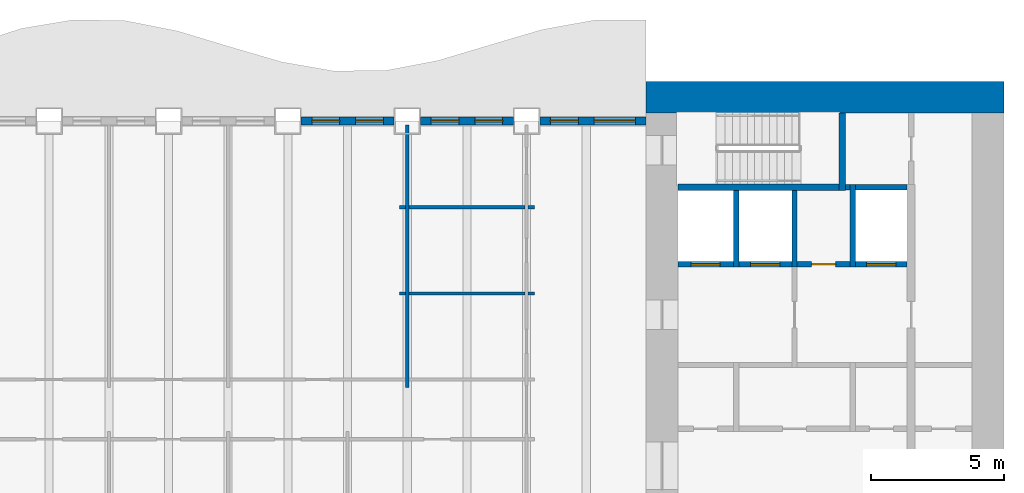
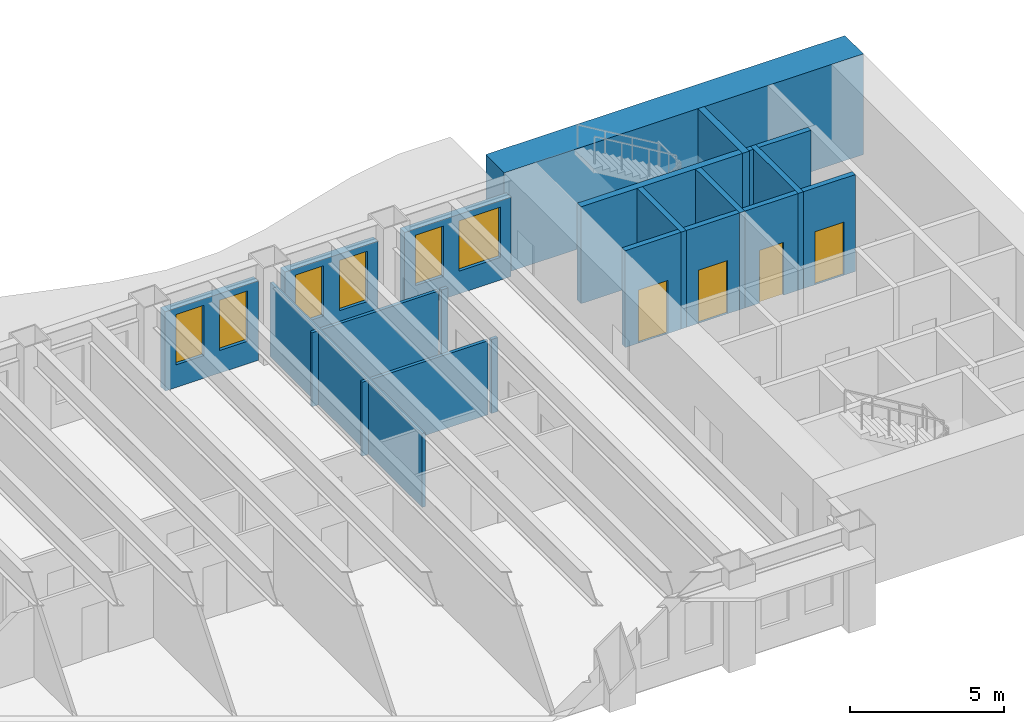
# One storey, part 7 of 16: 22 walls, 6 windows, 4 doors, 10 openings.
"""IFC4 building model written with IfcOpenShell, lengths in metres."""

from ifc_helpers import new_model, si_unit, direction, frame, frame_2d, origin, place, context, subcontext, project, spatial, rectangle, extrude, material, layer, layer_set, type_object, element, fill, save


model = new_model("IFC4")

# Units and contexts
model_context = context("Model", 3, precision=1e-05, world=origin(), true_north=direction((0.0, 1.0)))
body_context = subcontext(model_context, "Body", "Model", "MODEL_VIEW")
ifc_project = project(units=[si_unit("LENGTHUNIT", "METRE"), si_unit("AREAUNIT", "SQUARE_METRE"), si_unit("VOLUMEUNIT", "CUBIC_METRE"), si_unit("PLANEANGLEUNIT", "RADIAN"), si_unit("MASSUNIT", "GRAM", prefix="KILO")], contexts=[model_context])

# Site, building, storey
site_placement = place(None, origin())
site = spatial("IfcSite", under=ifc_project, at=site_placement, CompositionType="ELEMENT")
building_placement = place(site_placement, origin())
building = spatial("IfcBuilding", under=site, at=building_placement, Name="Sennacour Bend Tower", CompositionType="ELEMENT")
storey_placement = place(building_placement, frame((0.0, 0.0, 95.0)))
storey = spatial("IfcBuildingStorey", under=building, at=storey_placement, Name="L21", CompositionType="ELEMENT", Elevation=95.0)

# Walls
ifc_material_1 = material(Name="Concrete C80/95", Category="concrete")
ifc_layer_1 = layer(ifc_material_1, 1.199951171875, Name="Concrete C80/95", Category="concrete")
ifc_layer_set_1 = layer_set([ifc_layer_1], Name="Concrete C80/95")
wall_type_1 = type_object("IfcWallType", Name="Core wall 1200 C80/95", PredefinedType="SHEAR", material=ifc_layer_set_1)
wall_1_placement = place(storey_placement, frame((54.0, 21.89990234375, -0.14990234375), z_axis=(0.0, 0.0, 1.0), x_axis=(1.0, 0.0, 0.0)))
element("IfcWall", 1, at=wall_1_placement, inside=storey, type_object=wall_type_1, Name="Core A wall L21 N", PredefinedType="SHEAR", context=body_context, shape_type="SweptSolid", body=[
    extrude(rectangle(XDim=13.5, YDim=1.199951171875, at=frame_2d((6.75, 0.0))), origin(), (0.0, 0.0, 1.0), 4.0),
])
ifc_material_2 = material(Name="Plasterboard partition on steel studs", Category="steel")
ifc_layer_2 = layer(ifc_material_2, 0.1201171875, Name="Plasterboard partition on steel studs", Category="steel")
ifc_layer_set_2 = layer_set([ifc_layer_2], Name="Plasterboard partition on steel studs")
wall_type_2 = type_object("IfcWallType", Name="Partition 120", PredefinedType="PARTITIONING", material=ifc_layer_set_2)
wall_2_placement = place(storey_placement, frame((45.0, 10.949951171875, 0.0), z_axis=(0.0, 0.0, 1.0), x_axis=(0.0, 1.0, 0.0)))
element("IfcWall", 2, at=wall_2_placement, inside=storey, type_object=wall_type_2, Name="P-L21-W032a", PredefinedType="PARTITIONING", context=body_context, shape_type="SweptSolid", body=[
    extrude(rectangle(XDim=9.900146484375, YDim=0.1201171875, at=frame_2d((4.9501953125, 0.0))), origin(), (0.0, 0.0, 1.0), 2.93798828125),
])
wall_3_placement = place(storey_placement, frame((44.699951171875, 14.5, 0.0), z_axis=(0.0, 0.0, 1.0), x_axis=(1.0, 0.0, 0.0)))
element("IfcWall", 3, at=wall_3_placement, inside=storey, type_object=wall_type_2, Name="P-L21-W062aa", PredefinedType="PARTITIONING", context=body_context, shape_type="SweptSolid", body=[
    extrude(rectangle(XDim=0.239990234375, YDim=0.1201171875, at=frame_2d((0.1201171875, 0.0))), origin(), (0.0, 0.0, 1.0), 2.93798828125),
])
wall_4_placement = place(storey_placement, frame((45.06005859375, 14.5, 0.0), z_axis=(0.0, 0.0, 1.0), x_axis=(1.0, 0.0, 0.0)))
element("IfcWall", 4, at=wall_4_placement, inside=storey, type_object=wall_type_2, Name="P-L21-W062ab", PredefinedType="PARTITIONING", context=body_context, shape_type="SweptSolid", body=[
    extrude(rectangle(XDim=4.3798828125, YDim=0.1201171875, at=frame_2d((2.18994140625, 0.0))), origin(), (0.0, 0.0, 1.0), 2.93798828125),
])
for number, where, z_axis, x_axis, name in (
    (5, (49.56005859375, 14.5, 0.0), (0.0, 0.0, 1.0), (1.0, 0.0, 0.0), "P-L21-W062ac"),
    (6, (44.699951171875, 17.75, 0.0), (0.0, 0.0, 1.0), (1.0, 0.0, 0.0), "P-L21-W067aa"),
):
    element("IfcWall", number, at=place(storey_placement, frame(where, z_axis=z_axis, x_axis=x_axis)), inside=storey, type_object=wall_type_2, Name=name, PredefinedType="PARTITIONING", context=body_context, shape_type="SweptSolid", body=[
        extrude(rectangle(XDim=0.239990234375, YDim=0.1201171875, at=frame_2d((0.1201171875, 0.0))), origin(), (0.0, 0.0, 1.0), 2.93798828125),
    ])
wall_5_placement = place(storey_placement, frame((45.06005859375, 17.75, 0.0), z_axis=(0.0, 0.0, 1.0), x_axis=(1.0, 0.0, 0.0)))
element("IfcWall", 7, at=wall_5_placement, inside=storey, type_object=wall_type_2, Name="P-L21-W067ab", PredefinedType="PARTITIONING", context=body_context, shape_type="SweptSolid", body=[
    extrude(rectangle(XDim=4.3798828125, YDim=0.1201171875, at=frame_2d((2.18994140625, 0.0))), origin(), (0.0, 0.0, 1.0), 2.93798828125),
])
wall_6_placement = place(storey_placement, frame((49.56005859375, 17.75, 0.0), z_axis=(0.0, 0.0, 1.0), x_axis=(1.0, 0.0, 0.0)))
element("IfcWall", 8, at=wall_6_placement, inside=storey, type_object=wall_type_2, Name="P-L21-W067ac", PredefinedType="PARTITIONING", context=body_context, shape_type="SweptSolid", body=[
    extrude(rectangle(XDim=0.239990234375, YDim=0.1201171875, at=frame_2d((0.1201171875, 0.0))), origin(), (0.0, 0.0, 1.0), 2.93798828125),
])

# Wall, opening, door
ifc_material_3 = material(Name="Fire-rated plasterboard partition on steel studs", Category="steel")
ifc_layer_3 = layer(ifc_material_3, 0.199951171875, Name="Fire-rated plasterboard partition on steel studs", Category="steel")
ifc_layer_set_3 = layer_set([ifc_layer_3], Name="Fire-rated plasterboard partition on steel studs")
wall_type_3 = type_object("IfcWallType", Name="Rated partition 200", PredefinedType="PARTITIONING", material=ifc_layer_set_3)
wall_7_placement = place(storey_placement, frame((59.699951171875, 15.60009765625, 0.0), z_axis=(0.0, 0.0, 1.0), x_axis=(1.0, 0.0, 0.0)))
wall_7 = element("IfcWall", 9, at=wall_7_placement, inside=storey, type_object=wall_type_3, Name="P-L21-W064", PredefinedType="PARTITIONING", context=body_context, shape_type="SweptSolid", body=[
    extrude(rectangle(XDim=2.0, YDim=0.199951171875, at=frame_2d((1.0, 0.0))), origin(), (0.0, 0.0, 1.0), 3.85009765625),
])
opening_1_placement = place(wall_7_placement, frame((0.550048828125, 0.0, 0.0)))
opening_1 = element("IfcOpeningElement", 10, at=opening_1_placement, cuts=wall_7, Name="Opening SV", PredefinedType="OPENING", context=body_context, shape_type="SweptSolid", body=[
    extrude(rectangle(XDim=0.89990234375, YDim=2.10009765625, at=frame_2d((0.449951171875, 1.050048828125))), frame((0.0, 0.10986328125, 0.0), z_axis=(0.0, -1.0, 0.0), x_axis=(1.0, 0.0, 0.0)), (0.0, 0.0, 1.0), 0.219970703125),
])
ifc_material_4 = material(Name="Painted steel", Category="steel")
door_type_1 = type_object("IfcDoorType", Name="DR-SERVICE-900", OperationType="NOTDEFINED", PredefinedType="DOOR", material=ifc_material_4)
door_1_placement = place(opening_1_placement, origin())
door_1 = element("IfcDoor", 11, at=door_1_placement, inside=storey, type_object=door_type_1, Name="Door", OperationType="SINGLE_SWING_RIGHT", OverallHeight=2.10009765625, OverallWidth=0.89990234375, PredefinedType="DOOR", context=body_context, shape_type="SweptSolid", body=[
    extrude(rectangle(XDim=0.89990234375, YDim=2.10009765625, at=frame_2d((0.449951171875, 1.050048828125))), frame((0.0, 0.02490234375, 0.0), z_axis=(0.0, -1.0, 0.0), x_axis=(1.0, 0.0, 0.0)), (0.0, 0.0, 1.0), 0.050048828125),
])
fill(opening_1, door_1)

# Wall
wall_8_placement = place(storey_placement, frame((61.52490234375, 18.5, 0.0), z_axis=(0.0, 0.0, 1.0), x_axis=(1.0, 0.0, 0.0)))
element("IfcWall", 12, at=wall_8_placement, inside=storey, type_object=wall_type_3, Name="P-L21-W069", PredefinedType="PARTITIONING", context=body_context, shape_type="SweptSolid", body=[
    extrude(rectangle(XDim=0.175048828125, YDim=0.199951171875, at=frame_2d((0.08740234375, 0.0))), origin(), (0.0, 0.0, 1.0), 3.85009765625),
])

# Wall, openings, windows
ifc_material_5 = material(Name="Warm limestone cladding", Category="masonry")
ifc_layer_4 = layer(ifc_material_5, 0.050048828125, Name="Warm limestone cladding", Category="masonry")
ifc_material_6 = material(Name="Precast concrete C40/50", Category="concrete")
ifc_layer_5 = layer(ifc_material_6, 0.25, Name="Precast concrete C40/50", Category="concrete")
ifc_layer_set_4 = layer_set([ifc_layer_4, ifc_layer_5], Name="Precast concrete C40/50 with limestone cladding")
wall_type_4 = type_object("IfcWallType", Name="STONE-CLAD PRECAST SPANDREL 300", PredefinedType="STANDARD", material=ifc_layer_set_4)
wall_9_placement = place(storey_placement, frame((54.0, 21.0, 0.0), z_axis=(0.0, 0.0, 1.0), x_axis=(-1.0, 0.0, 0.0)))
wall_9 = element("IfcWall", 13, at=wall_9_placement, inside=storey, type_object=wall_type_4, Name="Stone spandrel and pier wall L21 06.00", PredefinedType="STANDARD", context=body_context, shape_type="SweptSolid", body=[
    extrude(rectangle(XDim=4.0, YDim=0.300048828125, at=frame_2d((2.0, 0.0))), origin(), (0.0, 0.0, 1.0), 3.154052734375),
])
opening_2_placement = place(wall_9_placement, frame((0.39990234375, 0.0, 0.89990234375)))
opening_2 = element("IfcOpeningElement", 14, at=opening_2_placement, cuts=wall_9, Name="Opening W9", PredefinedType="OPENING", context=body_context, shape_type="SweptSolid", body=[
    extrude(rectangle(XDim=1.550048828125, YDim=2.0, at=frame_2d((0.77490234375, 1.0))), frame((0.0, 0.16015625, 0.0), z_axis=(0.0, -1.0, 0.0), x_axis=(1.0, 0.0, 0.0)), (0.0, 0.0, 1.0), 0.320068359375),
])
opening_3_placement = place(wall_9_placement, frame((2.550048828125, 0.0, 0.89990234375)))
opening_3 = element("IfcOpeningElement", 15, at=opening_3_placement, cuts=wall_9, Name="Opening W13", PredefinedType="OPENING", context=body_context, shape_type="SweptSolid", body=[
    extrude(rectangle(XDim=1.050048828125, YDim=2.0, at=frame_2d((0.52490234375, 1.0))), frame((0.0, 0.16015625, 0.0), z_axis=(0.0, -1.0, 0.0), x_axis=(1.0, 0.0, 0.0)), (0.0, 0.0, 1.0), 0.320068359375),
])
ifc_material_7 = material(Name="Clear low-emissivity glass", Category="glass")
window_type_1 = type_object("IfcWindowType", Name="WIN-RIBBON-1050x2000", PartitioningType="SINGLE_PANEL", PredefinedType="WINDOW", material=ifc_material_7)
window_1_placement = place(opening_3_placement, origin())
window_1 = element("IfcWindow", 16, at=window_1_placement, inside=storey, type_object=window_type_1, Name="Ribbon window L21 06.00.1", OverallHeight=2.0, OverallWidth=1.050048828125, PartitioningType="SINGLE_PANEL", PredefinedType="WINDOW", context=body_context, shape_type="SweptSolid", body=[
    extrude(rectangle(XDim=1.050048828125, YDim=2.0, at=frame_2d((0.52490234375, 1.0))), frame((0.0, 0.030029296875, 0.0), z_axis=(0.0, -1.0, 0.0), x_axis=(1.0, 0.0, 0.0)), (0.0, 0.0, 1.0), 0.06005859375),
])
fill(opening_3, window_1)
window_type_2 = type_object("IfcWindowType", Name="WIN-RIBBON-1550x2000", PartitioningType="SINGLE_PANEL", PredefinedType="WINDOW", material=ifc_material_7)
window_2_placement = place(opening_2_placement, origin())
window_2 = element("IfcWindow", 17, at=window_2_placement, inside=storey, type_object=window_type_2, Name="Ribbon window L21 06.00.0", OverallHeight=2.0, OverallWidth=1.550048828125, PartitioningType="SINGLE_PANEL", PredefinedType="WINDOW", context=body_context, shape_type="SweptSolid", body=[
    extrude(rectangle(XDim=1.550048828125, YDim=2.0, at=frame_2d((0.77490234375, 1.0))), frame((0.0, 0.030029296875, 0.0), z_axis=(0.0, -1.0, 0.0), x_axis=(1.0, 0.0, 0.0)), (0.0, 0.0, 1.0), 0.06005859375),
])
fill(opening_2, window_2)

wall_10_placement = place(storey_placement, frame((49.0, 21.0, 0.0), z_axis=(0.0, 0.0, 1.0), x_axis=(-1.0, 0.0, 0.0)))
wall_10 = element("IfcWall", 18, at=wall_10_placement, inside=storey, type_object=wall_type_4, Name="Stone spandrel and pier wall L21 06.01", PredefinedType="STANDARD", context=body_context, shape_type="SweptSolid", body=[
    extrude(rectangle(XDim=3.5, YDim=0.300048828125, at=frame_2d((1.75, 0.0))), origin(), (0.0, 0.0, 1.0), 3.154052734375),
])
opening_4_placement = place(wall_10_placement, frame((0.39990234375, 0.0, 0.89990234375)))
opening_4 = element("IfcOpeningElement", 19, at=opening_4_placement, cuts=wall_10, Name="Opening W13", PredefinedType="OPENING", context=body_context, shape_type="SweptSolid", body=[
    extrude(rectangle(XDim=1.050048828125, YDim=2.0, at=frame_2d((0.52490234375, 1.0))), frame((0.0, 0.16015625, 0.0), z_axis=(0.0, -1.0, 0.0), x_axis=(1.0, 0.0, 0.0)), (0.0, 0.0, 1.0), 0.320068359375),
])
opening_5_placement = place(wall_10_placement, frame((2.050048828125, 0.0, 0.89990234375)))
opening_5 = element("IfcOpeningElement", 20, at=opening_5_placement, cuts=wall_10, Name="Opening W13", PredefinedType="OPENING", context=body_context, shape_type="SweptSolid", body=[
    extrude(rectangle(XDim=1.050048828125, YDim=2.0, at=frame_2d((0.52490234375, 1.0))), frame((0.0, 0.16015625, 0.0), z_axis=(0.0, -1.0, 0.0), x_axis=(1.0, 0.0, 0.0)), (0.0, 0.0, 1.0), 0.320068359375),
])
window_3_placement = place(opening_4_placement, origin())
window_3 = element("IfcWindow", 21, at=window_3_placement, inside=storey, type_object=window_type_1, Name="Ribbon window L21 06.01.0", OverallHeight=2.0, OverallWidth=1.050048828125, PartitioningType="SINGLE_PANEL", PredefinedType="WINDOW", context=body_context, shape_type="SweptSolid", body=[
    extrude(rectangle(XDim=1.050048828125, YDim=2.0, at=frame_2d((0.52490234375, 1.0))), frame((0.0, 0.030029296875, 0.0), z_axis=(0.0, -1.0, 0.0), x_axis=(1.0, 0.0, 0.0)), (0.0, 0.0, 1.0), 0.06005859375),
])
fill(opening_4, window_3)
window_4_placement = place(opening_5_placement, origin())
window_4 = element("IfcWindow", 22, at=window_4_placement, inside=storey, type_object=window_type_1, Name="Ribbon window L21 06.01.1", OverallHeight=2.0, OverallWidth=1.050048828125, PartitioningType="SINGLE_PANEL", PredefinedType="WINDOW", context=body_context, shape_type="SweptSolid", body=[
    extrude(rectangle(XDim=1.050048828125, YDim=2.0, at=frame_2d((0.52490234375, 1.0))), frame((0.0, 0.030029296875, 0.0), z_axis=(0.0, -1.0, 0.0), x_axis=(1.0, 0.0, 0.0)), (0.0, 0.0, 1.0), 0.06005859375),
])
fill(opening_5, window_4)

wall_11_placement = place(storey_placement, frame((44.5, 21.0, 0.0), z_axis=(0.0, 0.0, 1.0), x_axis=(-1.0, 0.0, 0.0)))
wall_11 = element("IfcWall", 23, at=wall_11_placement, inside=storey, type_object=wall_type_4, Name="Stone spandrel and pier wall L21 06.02", PredefinedType="STANDARD", context=body_context, shape_type="SweptSolid", body=[
    extrude(rectangle(XDim=3.5, YDim=0.300048828125, at=frame_2d((1.75, 0.0))), origin(), (0.0, 0.0, 1.0), 3.154052734375),
])
opening_6_placement = place(wall_11_placement, frame((0.39990234375, 0.0, 0.89990234375)))
opening_6 = element("IfcOpeningElement", 24, at=opening_6_placement, cuts=wall_11, Name="Opening W13", PredefinedType="OPENING", context=body_context, shape_type="SweptSolid", body=[
    extrude(rectangle(XDim=1.050048828125, YDim=2.0, at=frame_2d((0.52490234375, 1.0))), frame((0.0, 0.16015625, 0.0), z_axis=(0.0, -1.0, 0.0), x_axis=(1.0, 0.0, 0.0)), (0.0, 0.0, 1.0), 0.320068359375),
])
opening_7_placement = place(wall_11_placement, frame((2.050048828125, 0.0, 0.89990234375)))
opening_7 = element("IfcOpeningElement", 25, at=opening_7_placement, cuts=wall_11, Name="Opening W13", PredefinedType="OPENING", context=body_context, shape_type="SweptSolid", body=[
    extrude(rectangle(XDim=1.050048828125, YDim=2.0, at=frame_2d((0.52490234375, 1.0))), frame((0.0, 0.16015625, 0.0), z_axis=(0.0, -1.0, 0.0), x_axis=(1.0, 0.0, 0.0)), (0.0, 0.0, 1.0), 0.320068359375),
])
window_5_placement = place(opening_6_placement, origin())
window_5 = element("IfcWindow", 26, at=window_5_placement, inside=storey, type_object=window_type_1, Name="Ribbon window L21 06.02.0", OverallHeight=2.0, OverallWidth=1.050048828125, PartitioningType="SINGLE_PANEL", PredefinedType="WINDOW", context=body_context, shape_type="SweptSolid", body=[
    extrude(rectangle(XDim=1.050048828125, YDim=2.0, at=frame_2d((0.52490234375, 1.0))), frame((0.0, 0.030029296875, 0.0), z_axis=(0.0, -1.0, 0.0), x_axis=(1.0, 0.0, 0.0)), (0.0, 0.0, 1.0), 0.06005859375),
])
fill(opening_6, window_5)
window_6_placement = place(opening_7_placement, origin())
window_6 = element("IfcWindow", 27, at=window_6_placement, inside=storey, type_object=window_type_1, Name="Ribbon window L21 06.02.1", OverallHeight=2.0, OverallWidth=1.050048828125, PartitioningType="SINGLE_PANEL", PredefinedType="WINDOW", context=body_context, shape_type="SweptSolid", body=[
    extrude(rectangle(XDim=1.050048828125, YDim=2.0, at=frame_2d((0.52490234375, 1.0))), frame((0.0, 0.030029296875, 0.0), z_axis=(0.0, -1.0, 0.0), x_axis=(1.0, 0.0, 0.0)), (0.0, 0.0, 1.0), 0.06005859375),
])
fill(opening_7, window_6)

# Walls
ifc_material_8 = material(Name="Concrete C50/60", Category="concrete")
ifc_layer_6 = layer(ifc_material_8, 0.199951171875, Name="Concrete C50/60", Category="concrete")
ifc_layer_set_5 = layer_set([ifc_layer_6], Name="Concrete C50/60")
wall_type_5 = type_object("IfcWallType", Name="Shaft wall 200", PredefinedType="SOLIDWALL", material=ifc_layer_set_5)
for number, where, z_axis, x_axis, name in (
    (28, (57.39990234375, 15.5, 0.0), (0.0, 0.0, 1.0), (0.0, 1.0, 0.0), "P-L21-W037"),
    (29, (59.60009765625, 15.5, 0.0), (0.0, 0.0, 1.0), (0.0, 1.0, 0.0), "P-L21-W040"),
):
    element("IfcWall", number, at=place(storey_placement, frame(where, z_axis=z_axis, x_axis=x_axis)), inside=storey, type_object=wall_type_5, Name=name, PredefinedType="SOLIDWALL", context=body_context, shape_type="SweptSolid", body=[
        extrude(rectangle(XDim=2.875, YDim=0.199951171875, at=frame_2d((1.4375, 0.0))), origin(), (0.0, 0.0, 1.0), 3.85009765625),
    ])
wall_12_placement = place(storey_placement, frame((61.800048828125, 15.5, 0.0), z_axis=(0.0, 0.0, 1.0), x_axis=(0.0, 1.0, 0.0)))
element("IfcWall", 30, at=wall_12_placement, inside=storey, type_object=wall_type_5, Name="P-L21-W045", PredefinedType="SOLIDWALL", context=body_context, shape_type="SweptSolid", body=[
    extrude(rectangle(XDim=3.10009765625, YDim=0.199951171875, at=frame_2d((1.550048828125, 0.0))), origin(), (0.0, 0.0, 1.0), 3.85009765625),
])

# Wall, opening, door
wall_13_placement = place(storey_placement, frame((55.199951171875, 15.60009765625, 0.0), z_axis=(0.0, 0.0, 1.0), x_axis=(1.0, 0.0, 0.0)))
wall_13 = element("IfcWall", 31, at=wall_13_placement, inside=storey, type_object=wall_type_5, Name="P-L21-W063a", PredefinedType="SOLIDWALL", context=body_context, shape_type="SweptSolid", body=[
    extrude(rectangle(XDim=2.10009765625, YDim=0.199951171875, at=frame_2d((1.050048828125, 0.0))), origin(), (0.0, 0.0, 1.0), 3.85009765625),
])
opening_8_placement = place(wall_13_placement, frame((0.5, 0.0, 0.011962890625)))
opening_8 = element("IfcOpeningElement", 32, at=opening_8_placement, cuts=wall_13, Name="Opening FLD", PredefinedType="OPENING", context=body_context, shape_type="SweptSolid", body=[
    extrude(rectangle(XDim=1.10009765625, YDim=2.10009765625, at=frame_2d((0.550048828125, 1.050048828125))), frame((0.0, 0.10986328125, 0.0), z_axis=(0.0, -1.0, 0.0), x_axis=(1.0, 0.0, 0.0)), (0.0, 0.0, 1.0), 0.219970703125),
])
ifc_material_9 = material(Name="Stainless steel", Category="steel")
door_type_2 = type_object("IfcDoorType", Name="DR-FF-LANDING-1100", OperationType="NOTDEFINED", PredefinedType="DOOR", material=ifc_material_9)
door_2_placement = place(opening_8_placement, origin())
door_2 = element("IfcDoor", 33, at=door_2_placement, inside=storey, type_object=door_type_2, Name="Fire service lift landing door FA1", OperationType="SLIDING_TO_LEFT", OverallHeight=2.10009765625, OverallWidth=1.10009765625, PredefinedType="DOOR", context=body_context, shape_type="SweptSolid", body=[
    extrude(rectangle(XDim=1.10009765625, YDim=2.10009765625, at=frame_2d((0.550048828125, 1.050048828125))), frame((0.0, 0.02490234375, 0.0), z_axis=(0.0, -1.0, 0.0), x_axis=(1.0, 0.0, 0.0)), (0.0, 0.0, 1.0), 0.050048828125),
])
fill(opening_8, door_2)

wall_14_placement = place(storey_placement, frame((57.5, 15.60009765625, 0.0), z_axis=(0.0, 0.0, 1.0), x_axis=(1.0, 0.0, 0.0)))
wall_14 = element("IfcWall", 34, at=wall_14_placement, inside=storey, type_object=wall_type_5, Name="P-L21-W063b", PredefinedType="SOLIDWALL", context=body_context, shape_type="SweptSolid", body=[
    extrude(rectangle(XDim=2.0, YDim=0.199951171875, at=frame_2d((1.0, 0.0))), origin(), (0.0, 0.0, 1.0), 3.85009765625),
])
opening_9_placement = place(wall_14_placement, frame((0.449951171875, 0.0, 0.011962890625)))
opening_9 = element("IfcOpeningElement", 35, at=opening_9_placement, cuts=wall_14, Name="Opening FLD", PredefinedType="OPENING", context=body_context, shape_type="SweptSolid", body=[
    extrude(rectangle(XDim=1.10009765625, YDim=2.10009765625, at=frame_2d((0.550048828125, 1.050048828125))), frame((0.0, 0.10986328125, 0.0), z_axis=(0.0, -1.0, 0.0), x_axis=(1.0, 0.0, 0.0)), (0.0, 0.0, 1.0), 0.219970703125),
])
door_3_placement = place(opening_9_placement, origin())
door_3 = element("IfcDoor", 36, at=door_3_placement, inside=storey, type_object=door_type_2, Name="Fire service lift landing door FA2", OperationType="SLIDING_TO_RIGHT", OverallHeight=2.10009765625, OverallWidth=1.10009765625, PredefinedType="DOOR", context=body_context, shape_type="SweptSolid", body=[
    extrude(rectangle(XDim=1.10009765625, YDim=2.10009765625, at=frame_2d((0.550048828125, 1.050048828125))), frame((0.0, 0.02490234375, 0.0), z_axis=(0.0, -1.0, 0.0), x_axis=(1.0, 0.0, 0.0)), (0.0, 0.0, 1.0), 0.050048828125),
])
fill(opening_9, door_3)

wall_15_placement = place(storey_placement, frame((61.89990234375, 15.60009765625, 0.0), z_axis=(0.0, 0.0, 1.0), x_axis=(1.0, 0.0, 0.0)))
wall_15 = element("IfcWall", 37, at=wall_15_placement, inside=storey, type_object=wall_type_5, Name="P-L21-W065", PredefinedType="SOLIDWALL", context=body_context, shape_type="SweptSolid", body=[
    extrude(rectangle(XDim=1.9501953125, YDim=0.199951171875, at=frame_2d((0.97509765625, 0.0))), origin(), (0.0, 0.0, 1.0), 3.85009765625),
])
opening_10_placement = place(wall_15_placement, frame((0.425048828125, 0.0, 0.011962890625)))
opening_10 = element("IfcOpeningElement", 38, at=opening_10_placement, cuts=wall_15, Name="Opening LD", PredefinedType="OPENING", context=body_context, shape_type="SweptSolid", body=[
    extrude(rectangle(XDim=1.10009765625, YDim=2.10009765625, at=frame_2d((0.550048828125, 1.050048828125))), frame((0.0, 0.10986328125, 0.0), z_axis=(0.0, -1.0, 0.0), x_axis=(1.0, 0.0, 0.0)), (0.0, 0.0, 1.0), 0.219970703125),
])
door_type_3 = type_object("IfcDoorType", Name="DR-LANDING-1100", OperationType="NOTDEFINED", PredefinedType="DOOR", material=ifc_material_9)
door_4_placement = place(opening_10_placement, origin())
door_4 = element("IfcDoor", 39, at=door_4_placement, inside=storey, type_object=door_type_3, Name="Lift landing door LA5", OperationType="SLIDING_TO_LEFT", OverallHeight=2.10009765625, OverallWidth=1.10009765625, PredefinedType="DOOR", context=body_context, shape_type="SweptSolid", body=[
    extrude(rectangle(XDim=1.10009765625, YDim=2.10009765625, at=frame_2d((0.550048828125, 1.050048828125))), frame((0.0, 0.02490234375, 0.0), z_axis=(0.0, -1.0, 0.0), x_axis=(1.0, 0.0, 0.0)), (0.0, 0.0, 1.0), 0.050048828125),
])
fill(opening_10, door_4)

# Walls
wall_16_placement = place(storey_placement, frame((61.89990234375, 18.5, 0.0), z_axis=(0.0, 0.0, 1.0), x_axis=(1.0, 0.0, 0.0)))
element("IfcWall", 40, at=wall_16_placement, inside=storey, type_object=wall_type_5, Name="P-L21-W070", PredefinedType="SOLIDWALL", context=body_context, shape_type="SweptSolid", body=[
    extrude(rectangle(XDim=1.9501953125, YDim=0.199951171875, at=frame_2d((0.97509765625, 0.0))), origin(), (0.0, 0.0, 1.0), 3.85009765625),
])
ifc_material_10 = material(Name="Concrete C60/75", Category="concrete")
ifc_layer_7 = layer(ifc_material_10, 0.25, Name="Concrete C60/75", Category="concrete")
ifc_layer_set_6 = layer_set([ifc_layer_7], Name="Concrete C60/75")
wall_type_6 = type_object("IfcWallType", Name="Stair wall 250", PredefinedType="SHEAR", material=ifc_layer_set_6)
wall_17_placement = place(storey_placement, frame((61.39990234375, 18.375, 0.0), z_axis=(0.0, 0.0, 1.0), x_axis=(0.0, 1.0, 0.0)))
element("IfcWall", 41, at=wall_17_placement, inside=storey, type_object=wall_type_6, Name="P-L21-W042", PredefinedType="SHEAR", context=body_context, shape_type="SweptSolid", body=[
    extrude(rectangle(XDim=2.925048828125, YDim=0.25, at=frame_2d((1.46240234375, 0.0))), origin(), (0.0, 0.0, 1.0), 3.85009765625),
])
wall_18_placement = place(storey_placement, frame((55.199951171875, 18.5, 0.0), z_axis=(0.0, 0.0, 1.0), x_axis=(1.0, 0.0, 0.0)))
element("IfcWall", 42, at=wall_18_placement, inside=storey, type_object=wall_type_6, Name="P-L21-W068", PredefinedType="SHEAR", context=body_context, shape_type="SweptSolid", body=[
    extrude(rectangle(XDim=6.074951171875, YDim=0.25, at=frame_2d((3.03759765625, 0.0))), origin(), (0.0, 0.0, 1.0), 3.85009765625),
])

save(model, "model.ifc")
